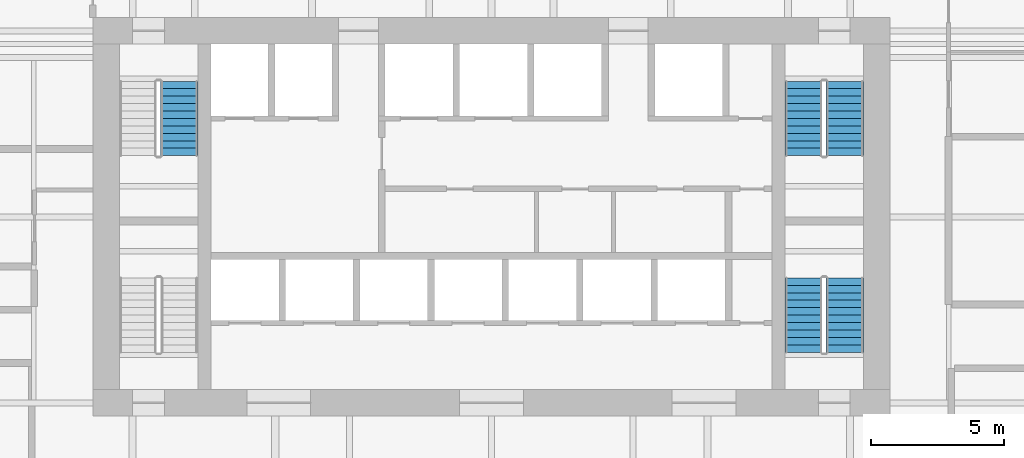
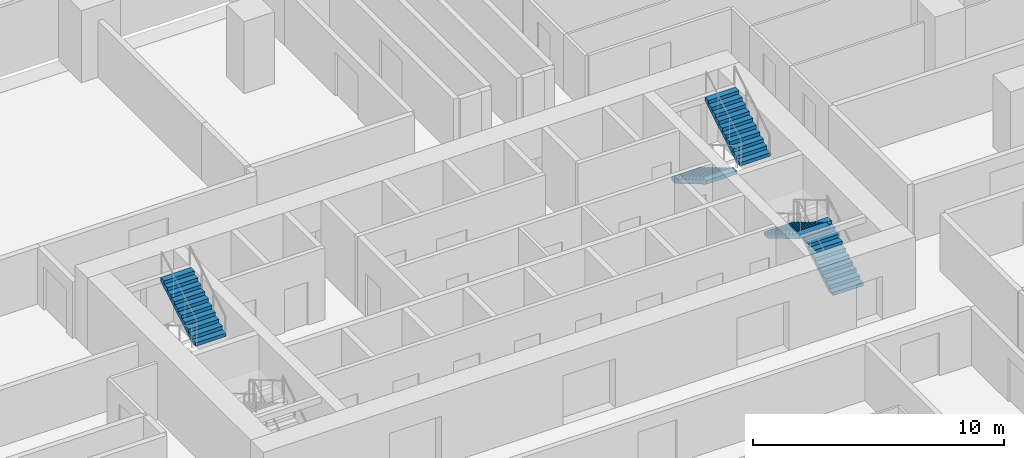
# One storey, part 17 of 21: 5 stair flights, 3 elements without a shape of their own.
"""IFC4 building model written with IfcOpenShell, lengths in metres."""

from ifc_helpers import new_model, si_unit, direction, frame, origin, place, context, subcontext, project, spatial, polyline, outline, extrude, material, type_object, element, aggregate, save


model = new_model("IFC4")

# Units and contexts
model_context = context("Model", 3, precision=1e-05, world=origin(), true_north=direction((0.0, 1.0)))
body_context = subcontext(model_context, "Body", "Model", "MODEL_VIEW")
ifc_project = project(units=[si_unit("LENGTHUNIT", "METRE"), si_unit("AREAUNIT", "SQUARE_METRE"), si_unit("VOLUMEUNIT", "CUBIC_METRE"), si_unit("PLANEANGLEUNIT", "RADIAN"), si_unit("MASSUNIT", "GRAM", prefix="KILO")], contexts=[model_context])

# Site, building, storey
site_placement = place(None, origin())
site = spatial("IfcSite", under=ifc_project, at=site_placement, CompositionType="ELEMENT")
building_placement = place(site_placement, origin())
building = spatial("IfcBuilding", under=site, at=building_placement, Name="Isthmus Gate Tower", CompositionType="ELEMENT")
storey_placement = place(building_placement, frame((0.0, 0.0, 46.949951171875)))
storey = spatial("IfcBuildingStorey", under=building, at=storey_placement, Name="L09", CompositionType="ELEMENT", Elevation=46.949951171875)

# Stair, stair flight
ifc_material_1 = material(Name="Concrete f'c 40 MPa", Category="concrete")
stair_type = type_object("IfcStairType", Name="CORE STAIR 22 RISERS", PredefinedType="HALF_TURN_STAIR", material=ifc_material_1)
stair_1_placement = place(storey_placement, origin())
stair_1 = element("IfcStair", 1, at=stair_1_placement, inside=storey, type_object=stair_type, Name="L09 Exit Stair 1", PredefinedType="HALF_TURN_STAIR")
ifc_material_2 = material(Name="Concrete f'c 40 MPa", Category="concrete")
stair_flight_type = type_object("IfcStairFlightType", Name="STAIR FLIGHT RC 1400", PredefinedType="STRAIGHT", material=ifc_material_2)
stair_flight_1_placement = place(storey_placement, frame((-11.75, 9.800048828125, 1.824951171875), z_axis=(0.0, 0.0, 1.0), x_axis=(0.0, 1.0, 0.0)))
stair_flight_1 = element("IfcStairFlight", 2, at=stair_flight_1_placement, type_object=stair_flight_type, Name="ST1 flight 2", NumberOfRisers=11, NumberOfTreads=10, PredefinedType="STRAIGHT", RiserHeight=0.165909091, TreadLength=0.28, context=body_context, shape_type="SweptSolid", body=[
    extrude(outline(polyline([(0.0, 0.0), (0.0, 0.166015625), (0.280029296875, 0.166015625), (0.280029296875, 0.331787109375), (0.56005859375, 0.331787109375), (0.56005859375, 0.497802734375), (0.840087890625, 0.497802734375), (0.840087890625, 0.66357421875), (1.1201171875, 0.66357421875), (1.1201171875, 0.82958984375), (1.39990234375, 0.82958984375), (1.39990234375, 0.995361328125), (1.679931640625, 0.995361328125), (1.679931640625, 1.161376953125), (1.9599609375, 1.161376953125), (1.9599609375, 1.327392578125), (2.239990234375, 1.327392578125), (2.239990234375, 1.4931640625), (2.52001953125, 1.4931640625), (2.52001953125, 1.6591796875), (2.800048828125, 1.6591796875), (2.800048828125, 1.824951171875), (2.800048828125, 1.48486328125), (0.2939453125, 0.0), (0.0, 0.0)])), frame((0.0, 0.699951171875, 0.0), z_axis=(0.0, -1.0, 0.0), x_axis=(1.0, 0.0, 0.0)), (0.0, 0.0, 1.0), 1.39990234375),
])
aggregate(stair_1, [stair_flight_1])

# Stair, stair flights
stair_2_placement = place(storey_placement, origin())
stair_2 = element("IfcStair", 3, at=stair_2_placement, inside=storey, type_object=stair_type, Name="L09 Exit Stair 2", PredefinedType="HALF_TURN_STAIR")
stair_flight_2_placement = place(storey_placement, frame((11.75, 12.60009765625, 0.0), z_axis=(0.0, 0.0, 1.0), x_axis=(0.0, -1.0, 0.0)))
stair_flight_2 = element("IfcStairFlight", 4, at=stair_flight_2_placement, type_object=stair_flight_type, Name="ST2 flight 1", NumberOfRisers=11, NumberOfTreads=10, PredefinedType="STRAIGHT", RiserHeight=0.165909091, TreadLength=0.28, context=body_context, shape_type="SweptSolid", body=[
    extrude(outline(polyline([(0.0, 0.0), (0.0, 0.166015625), (0.280029296875, 0.166015625), (0.280029296875, 0.331787109375), (0.56005859375, 0.331787109375), (0.56005859375, 0.497802734375), (0.840087890625, 0.497802734375), (0.840087890625, 0.66357421875), (1.1201171875, 0.66357421875), (1.1201171875, 0.82958984375), (1.39990234375, 0.82958984375), (1.39990234375, 0.995361328125), (1.679931640625, 0.995361328125), (1.679931640625, 1.161376953125), (1.9599609375, 1.161376953125), (1.9599609375, 1.327392578125), (2.239990234375, 1.327392578125), (2.239990234375, 1.4931640625), (2.52001953125, 1.4931640625), (2.52001953125, 1.6591796875), (2.800048828125, 1.6591796875), (2.800048828125, 1.824951171875), (2.800048828125, 1.48486328125), (0.2939453125, 0.0), (0.0, 0.0)])), frame((0.0, 0.699951171875, 0.0), z_axis=(0.0, -1.0, 0.0), x_axis=(1.0, 0.0, 0.0)), (0.0, 0.0, 1.0), 1.39990234375),
])
stair_flight_3_placement = place(storey_placement, frame((13.300048828125, 9.800048828125, 1.824951171875), z_axis=(0.0, 0.0, 1.0), x_axis=(0.0, 1.0, 0.0)))
stair_flight_3 = element("IfcStairFlight", 5, at=stair_flight_3_placement, type_object=stair_flight_type, Name="ST2 flight 2", NumberOfRisers=11, NumberOfTreads=10, PredefinedType="STRAIGHT", RiserHeight=0.165909091, TreadLength=0.28, context=body_context, shape_type="SweptSolid", body=[
    extrude(outline(polyline([(0.0, 0.0), (0.0, 0.166015625), (0.280029296875, 0.166015625), (0.280029296875, 0.331787109375), (0.56005859375, 0.331787109375), (0.56005859375, 0.497802734375), (0.840087890625, 0.497802734375), (0.840087890625, 0.66357421875), (1.1201171875, 0.66357421875), (1.1201171875, 0.82958984375), (1.39990234375, 0.82958984375), (1.39990234375, 0.995361328125), (1.679931640625, 0.995361328125), (1.679931640625, 1.161376953125), (1.9599609375, 1.161376953125), (1.9599609375, 1.327392578125), (2.239990234375, 1.327392578125), (2.239990234375, 1.4931640625), (2.52001953125, 1.4931640625), (2.52001953125, 1.6591796875), (2.800048828125, 1.6591796875), (2.800048828125, 1.824951171875), (2.800048828125, 1.48486328125), (0.2939453125, 0.0), (0.0, 0.0)])), frame((0.0, 0.699951171875, 0.0), z_axis=(0.0, -1.0, 0.0), x_axis=(1.0, 0.0, 0.0)), (0.0, 0.0, 1.0), 1.39990234375),
])
aggregate(stair_2, [stair_flight_2, stair_flight_3])

stair_3_placement = place(storey_placement, origin())
stair_3 = element("IfcStair", 6, at=stair_3_placement, inside=storey, type_object=stair_type, Name="L09 Exit Stair 8", PredefinedType="HALF_TURN_STAIR")
stair_flight_4_placement = place(storey_placement, frame((13.300048828125, 2.39990234375, 0.0), z_axis=(0.0, 0.0, 1.0), x_axis=(0.0, 1.0, 0.0)))
stair_flight_4 = element("IfcStairFlight", 7, at=stair_flight_4_placement, type_object=stair_flight_type, Name="ST8 flight 1", NumberOfRisers=11, NumberOfTreads=10, PredefinedType="STRAIGHT", RiserHeight=0.165909091, TreadLength=0.28, context=body_context, shape_type="SweptSolid", body=[
    extrude(outline(polyline([(0.0, 0.0), (0.0, 0.166015625), (0.280029296875, 0.166015625), (0.280029296875, 0.331787109375), (0.56005859375, 0.331787109375), (0.56005859375, 0.497802734375), (0.840087890625, 0.497802734375), (0.840087890625, 0.66357421875), (1.1201171875, 0.66357421875), (1.1201171875, 0.82958984375), (1.39990234375, 0.82958984375), (1.39990234375, 0.995361328125), (1.679931640625, 0.995361328125), (1.679931640625, 1.161376953125), (1.9599609375, 1.161376953125), (1.9599609375, 1.327392578125), (2.239990234375, 1.327392578125), (2.239990234375, 1.4931640625), (2.52001953125, 1.4931640625), (2.52001953125, 1.6591796875), (2.800048828125, 1.6591796875), (2.800048828125, 1.824951171875), (2.800048828125, 1.48486328125), (0.2939453125, 0.0), (0.0, 0.0)])), frame((0.0, 0.699951171875, 0.0), z_axis=(0.0, -1.0, 0.0), x_axis=(1.0, 0.0, 0.0)), (0.0, 0.0, 1.0), 1.39990234375),
])
stair_flight_5_placement = place(storey_placement, frame((11.75, 5.199951171875, 1.824951171875), z_axis=(0.0, 0.0, 1.0), x_axis=(0.0, -1.0, 0.0)))
stair_flight_5 = element("IfcStairFlight", 8, at=stair_flight_5_placement, type_object=stair_flight_type, Name="ST8 flight 2", NumberOfRisers=11, NumberOfTreads=10, PredefinedType="STRAIGHT", RiserHeight=0.165909091, TreadLength=0.28, context=body_context, shape_type="SweptSolid", body=[
    extrude(outline(polyline([(0.0, 0.0), (0.0, 0.166015625), (0.280029296875, 0.166015625), (0.280029296875, 0.331787109375), (0.56005859375, 0.331787109375), (0.56005859375, 0.497802734375), (0.840087890625, 0.497802734375), (0.840087890625, 0.66357421875), (1.1201171875, 0.66357421875), (1.1201171875, 0.82958984375), (1.39990234375, 0.82958984375), (1.39990234375, 0.995361328125), (1.679931640625, 0.995361328125), (1.679931640625, 1.161376953125), (1.9599609375, 1.161376953125), (1.9599609375, 1.327392578125), (2.239990234375, 1.327392578125), (2.239990234375, 1.4931640625), (2.52001953125, 1.4931640625), (2.52001953125, 1.6591796875), (2.800048828125, 1.6591796875), (2.800048828125, 1.824951171875), (2.800048828125, 1.48486328125), (0.2939453125, 0.0), (0.0, 0.0)])), frame((0.0, 0.699951171875, 0.0), z_axis=(0.0, -1.0, 0.0), x_axis=(1.0, 0.0, 0.0)), (0.0, 0.0, 1.0), 1.39990234375),
])
aggregate(stair_3, [stair_flight_4, stair_flight_5])

save(model, "model.ifc")
